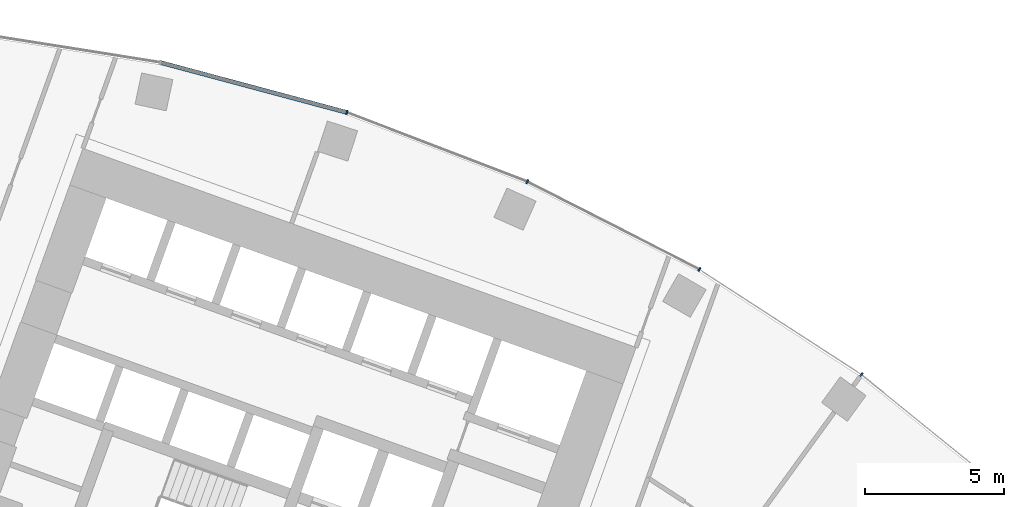
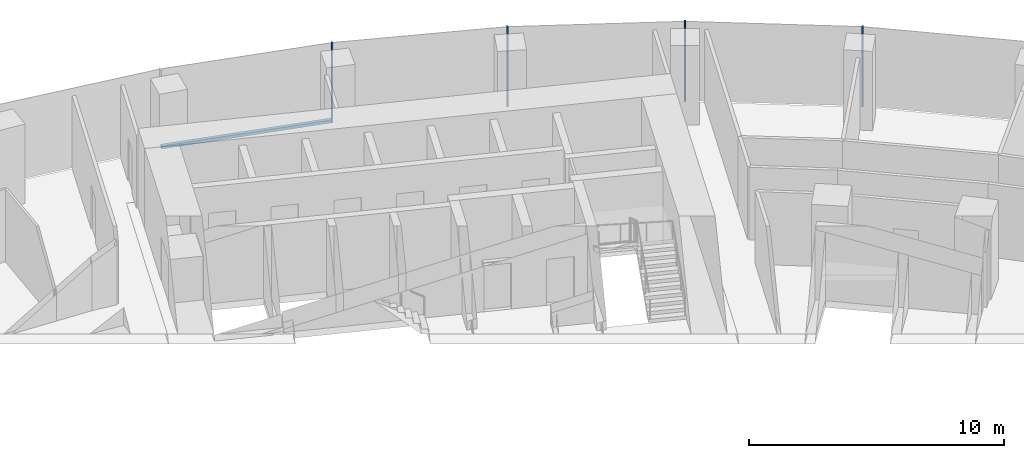
# One storey, part 10 of 20: 5 members, 1 element without a shape of its own.
"""IFC4 building model written with IfcOpenShell, lengths in metres."""

from ifc_helpers import new_model, si_unit, direction, frame, origin, origin_2d, place, context, subcontext, project, spatial, rectangle, extrude, material, layer, layer_set, material_profile, profile_set, type_object, element, aggregate, save


model = new_model("IFC4")

# Units and contexts
model_context = context("Model", 3, precision=1e-05, world=origin(), true_north=direction((0.0, 1.0)))
body_context = subcontext(model_context, "Body", "Model", "MODEL_VIEW")
ifc_project = project(units=[si_unit("LENGTHUNIT", "METRE"), si_unit("AREAUNIT", "SQUARE_METRE"), si_unit("VOLUMEUNIT", "CUBIC_METRE"), si_unit("PLANEANGLEUNIT", "RADIAN"), si_unit("MASSUNIT", "GRAM", prefix="KILO")], contexts=[model_context])

# Site, building, storey
site_placement = place(None, origin())
site = spatial("IfcSite", under=ifc_project, at=site_placement, CompositionType="ELEMENT")
building_placement = place(site_placement, origin())
building = spatial("IfcBuilding", under=site, at=building_placement, Name="Stone Belt Terrace Tower", CompositionType="ELEMENT")
storey_placement = place(building_placement, frame((0.0, 0.0, 106.0)))
storey = spatial("IfcBuildingStorey", under=building, at=storey_placement, Name="L25", CompositionType="ELEMENT", Elevation=106.0)

# Curtain wall, members
ifc_material = material(Name="Aluminium 6063-T6 anodised frame", Category="aluminium")
ifc_layer = layer(ifc_material, 0.14990234375)
ifc_layer_set = layer_set([ifc_layer], Name="CW-A unitised convex-face curtain wall")
curtain_wall_type = type_object("IfcCurtainWallType", Name="CW-A unitised convex-face curtain wall", PredefinedType="NOTDEFINED", material=ifc_layer_set)
curtain_wall_placement = place(storey_placement, origin())
curtain_wall = element("IfcCurtainWall", 1, at=curtain_wall_placement, inside=storey, type_object=curtain_wall_type, Name="CW-A convex face L25", PredefinedType="NOTDEFINED")
ifc_material_profile_1 = material_profile(ifc_material, rectangle(XDim=0.14990234375, YDim=0.06005859375, at=origin_2d()), Name="Aluminium 6063-T6 60x150")
ifc_profile_set_1 = profile_set([ifc_material_profile_1], Name="Aluminium 6063-T6 anodised frame")
member_type_1 = type_object("IfcMemberType", Name="CW-A mullion 60 x 150", PredefinedType="MULLION", material=ifc_profile_set_1)
member_1_placement = place(storey_placement, frame((39.1318359375, 53.8603515625, 0.0), z_axis=(0.0, 0.0, 1.0), x_axis=(-0.587785252292, -0.809016994375, 0.0)))
member_1 = element("IfcMember", 2, at=member_1_placement, type_object=member_type_1, Name="CW-A mullion 4", PredefinedType="MULLION", context=body_context, shape_type="SweptSolid", body=[
    extrude(rectangle(XDim=0.14990234375, YDim=0.06005859375, at=origin_2d()), origin(), (0.0, 0.0, 1.0), 3.800048828125),
])
member_2_placement = place(storey_placement, frame((33.28759765625, 57.65576171875, 0.0), z_axis=(0.0, 0.0, 1.0), x_axis=(-0.5, -0.866025403784, 0.0)))
member_2 = element("IfcMember", 3, at=member_2_placement, type_object=member_type_1, Name="CW-A mullion 5", PredefinedType="MULLION", context=body_context, shape_type="SweptSolid", body=[
    extrude(rectangle(XDim=0.14990234375, YDim=0.06005859375, at=origin_2d()), origin(), (0.0, 0.0, 1.0), 3.800048828125),
])
member_3_placement = place(storey_placement, frame((27.07861328125, 60.8193359375, 0.0), z_axis=(0.0, 0.0, 1.0), x_axis=(-0.406736643076, -0.913545457643, 0.0)))
member_3 = element("IfcMember", 4, at=member_3_placement, type_object=member_type_1, Name="CW-A mullion 6", PredefinedType="MULLION", context=body_context, shape_type="SweptSolid", body=[
    extrude(rectangle(XDim=0.14990234375, YDim=0.06005859375, at=origin_2d()), origin(), (0.0, 0.0, 1.0), 3.800048828125),
])
member_4_placement = place(storey_placement, frame((20.57275390625, 63.316650390625, 0.0), z_axis=(0.0, 0.0, 1.0), x_axis=(-0.309016994375, -0.951056516295, 0.0)))
member_4 = element("IfcMember", 5, at=member_4_placement, type_object=member_type_1, Name="CW-A mullion 7", PredefinedType="MULLION", context=body_context, shape_type="SweptSolid", body=[
    extrude(rectangle(XDim=0.14990234375, YDim=0.06005859375, at=origin_2d()), origin(), (0.0, 0.0, 1.0), 3.800048828125),
])
ifc_material_profile_2 = material_profile(ifc_material, rectangle(XDim=0.14990234375, YDim=0.139892578125, at=origin_2d()), Name="Aluminium 6063-T6 150x140")
ifc_profile_set_2 = profile_set([ifc_material_profile_2], Name="Aluminium 6063-T6 anodised frame")
member_type_2 = type_object("IfcMemberType", Name="CW-A transom 140 x 150", PredefinedType="USERDEFINED", material=ifc_profile_set_2)
member_5_placement = place(storey_placement, frame((20.5400390625, 63.325439453125, 0.070068359375), z_axis=(-0.965921835863, 0.258833937117, 0.0), x_axis=(-0.258833937117, -0.965921835863, 0.0)))
member_5 = element("IfcMember", 6, at=member_5_placement, type_object=member_type_2, Name="CW-A transom 7.1", ObjectType="TRANSOM", PredefinedType="USERDEFINED", context=body_context, shape_type="SweptSolid", body=[
    extrude(rectangle(XDim=0.14990234375, YDim=0.139892578125, at=origin_2d()), origin(), (0.0, 0.0, 1.0), 6.900634765625),
])
aggregate(curtain_wall, [member_1, member_2, member_3, member_4, member_5])

save(model, "model.ifc")
